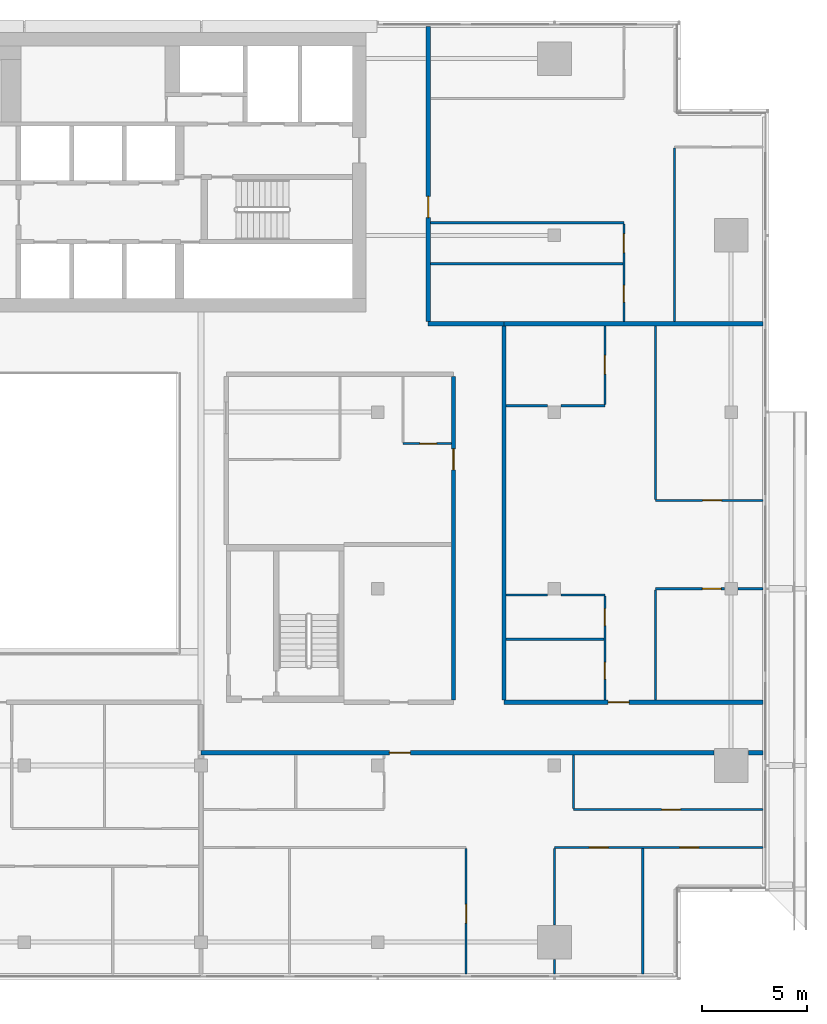
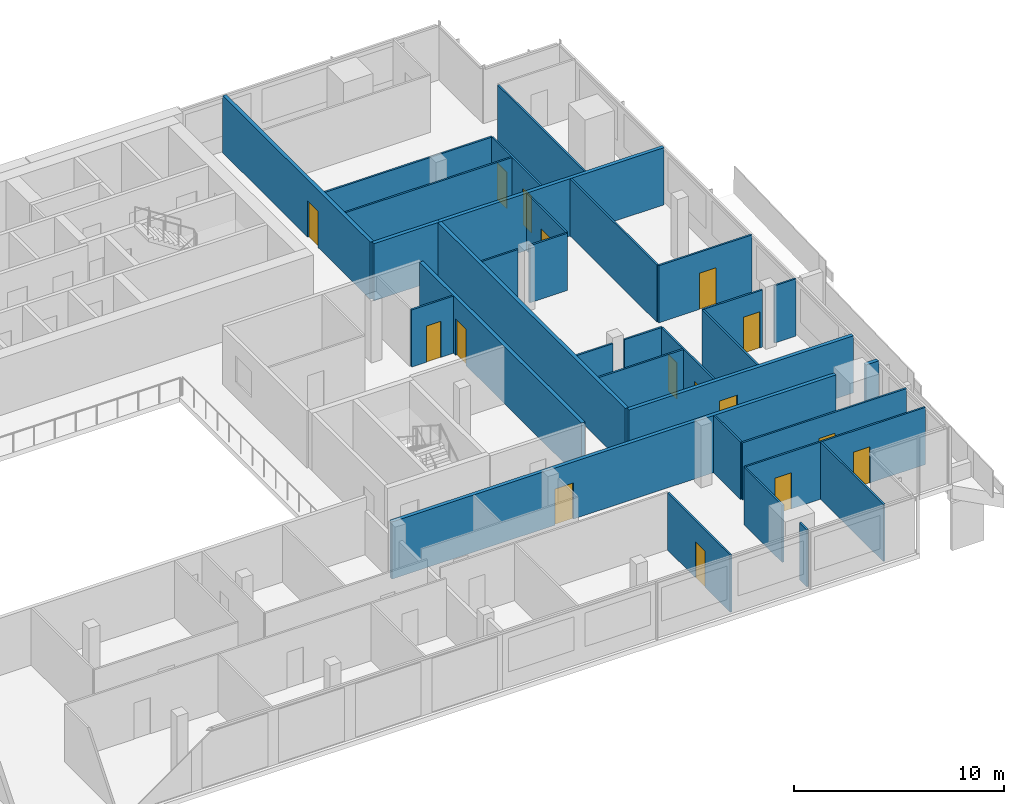
# One storey, part 23 of 28: 32 walls, 16 doors, 16 openings.
"""IFC4 building model written with IfcOpenShell, lengths in metres."""

from ifc_helpers import new_model, si_unit, direction, frame, frame_2d, origin, place, context, subcontext, project, spatial, rectangle, extrude, material, layer, layer_set, type_object, element, fill, save


model = new_model("IFC4")

# Units and contexts
model_context = context("Model", 3, precision=1e-05, world=origin(), true_north=direction((0.0, 1.0)))
body_context = subcontext(model_context, "Body", "Model", "MODEL_VIEW")
ifc_project = project(units=[si_unit("LENGTHUNIT", "METRE"), si_unit("AREAUNIT", "SQUARE_METRE"), si_unit("VOLUMEUNIT", "CUBIC_METRE"), si_unit("PLANEANGLEUNIT", "RADIAN"), si_unit("MASSUNIT", "GRAM", prefix="KILO")], contexts=[model_context])

# Site, building, storey
site_placement = place(None, origin())
site = spatial("IfcSite", under=ifc_project, at=site_placement, CompositionType="ELEMENT")
building_placement = place(site_placement, origin())
building = spatial("IfcBuilding", under=site, at=building_placement, Name="Saffron Gate Tower", CompositionType="ELEMENT")
storey_placement = place(building_placement, frame((0.0, 0.0, 241.5)))
storey = spatial("IfcBuildingStorey", under=building, at=storey_placement, Name="L59", CompositionType="ELEMENT", Elevation=241.5)

# Wall, openings, doors
ifc_material_1 = material(Name="Plasterboard on steel studs", Category="steel")
ifc_layer_1 = layer(ifc_material_1, 0.10009765625)
ifc_layer_set_1 = layer_set([ifc_layer_1], Name="PW1 Partition 100")
wall_type_1 = type_object("IfcWallType", Name="PW1 Partition 100", PredefinedType="PARTITIONING", material=ifc_layer_set_1)
wall_1_placement = place(storey_placement, frame((126.919921875, 36.300048828125, 0.0), z_axis=(0.0, 0.0, 1.0), x_axis=(-1.0, 0.0, 0.0)))
wall_1 = element("IfcWall", 1, at=wall_1_placement, inside=storey, type_object=wall_type_1, Name="Partition D4-7", PredefinedType="PARTITIONING", context=body_context, shape_type="SweptSolid", body=[
    extrude(rectangle(XDim=9.919921875, YDim=0.10009765625, at=frame_2d((4.9599609375, 0.0))), origin(), (0.0, 0.0, 1.0), 3.320068359375),
])
opening_1_placement = place(wall_1_placement, frame((3.0576171875, 0.0, 0.0)))
opening_1 = element("IfcOpeningElement", 2, at=opening_1_placement, cuts=wall_1, Name="Opening D4-21", PredefinedType="OPENING", context=body_context, shape_type="SweptSolid", body=[
    extrude(rectangle(XDim=0.89990234375, YDim=2.10009765625, at=frame_2d((0.449951171875, 1.050048828125))), frame((0.0, 0.06005859375, 0.0), z_axis=(0.0, -1.0, 0.0), x_axis=(1.0, 0.0, 0.0)), (0.0, 0.0, 1.0), 0.1201171875),
])
opening_2_placement = place(wall_1_placement, frame((7.3701171875, 0.0, 0.0)))
opening_2 = element("IfcOpeningElement", 3, at=opening_2_placement, cuts=wall_1, Name="Opening D4-20", PredefinedType="OPENING", context=body_context, shape_type="SweptSolid", body=[
    extrude(rectangle(XDim=0.89990234375, YDim=2.10009765625, at=frame_2d((0.449951171875, 1.050048828125))), frame((0.0, 0.06005859375, 0.0), z_axis=(0.0, -1.0, 0.0), x_axis=(1.0, 0.0, 0.0)), (0.0, 0.0, 1.0), 0.1201171875),
])
ifc_material_2 = material(Name="Timber door set", Category="wood")
door_type_1 = type_object("IfcDoorType", Name="RD1 Room door 900x2100", OperationType="NOTDEFINED", PredefinedType="DOOR", material=ifc_material_2)
door_1_placement = place(opening_1_placement, origin())
door_1 = element("IfcDoor", 4, at=door_1_placement, inside=storey, type_object=door_type_1, Name="Door D4-21", OperationType="SINGLE_SWING_RIGHT", OverallHeight=2.10009765625, OverallWidth=0.89990234375, PredefinedType="DOOR", context=body_context, shape_type="SweptSolid", body=[
    extrude(rectangle(XDim=0.89990234375, YDim=2.10009765625, at=frame_2d((0.449951171875, 1.050048828125))), frame((0.0, 0.02490234375, 0.0), z_axis=(0.0, -1.0, 0.0), x_axis=(1.0, 0.0, 0.0)), (0.0, 0.0, 1.0), 0.050048828125),
])
fill(opening_1, door_1)
door_2_placement = place(opening_2_placement, origin())
door_2 = element("IfcDoor", 5, at=door_2_placement, inside=storey, type_object=door_type_1, Name="Door D4-20", OperationType="SINGLE_SWING_RIGHT", OverallHeight=2.10009765625, OverallWidth=0.89990234375, PredefinedType="DOOR", context=body_context, shape_type="SweptSolid", body=[
    extrude(rectangle(XDim=0.89990234375, YDim=2.10009765625, at=frame_2d((0.449951171875, 1.050048828125))), frame((0.0, 0.02490234375, 0.0), z_axis=(0.0, -1.0, 0.0), x_axis=(1.0, 0.0, 0.0)), (0.0, 0.0, 1.0), 0.050048828125),
])
fill(opening_2, door_2)

# Wall, opening, door
wall_2_placement = place(storey_placement, frame((117.89990234375, 38.10009765625, 0.0), z_axis=(0.0, 0.0, 1.0), x_axis=(1.0, 0.0, 0.0)))
wall_2 = element("IfcWall", 6, at=wall_2_placement, inside=storey, type_object=wall_type_1, Name="Partition D4-11", PredefinedType="PARTITIONING", context=body_context, shape_type="SweptSolid", body=[
    extrude(rectangle(XDim=9.02001953125, YDim=0.10009765625, at=frame_2d((4.510009765625, 0.0))), origin(), (0.0, 0.0, 1.0), 3.320068359375),
])
opening_3_placement = place(wall_2_placement, frame((4.199951171875, 0.0, 0.0)))
opening_3 = element("IfcOpeningElement", 7, at=opening_3_placement, cuts=wall_2, Name="Opening D4-22", PredefinedType="OPENING", context=body_context, shape_type="SweptSolid", body=[
    extrude(rectangle(XDim=0.89990234375, YDim=2.10009765625, at=frame_2d((0.449951171875, 1.050048828125))), frame((0.0, 0.06005859375, 0.0), z_axis=(0.0, -1.0, 0.0), x_axis=(1.0, 0.0, 0.0)), (0.0, 0.0, 1.0), 0.1201171875),
])
door_3_placement = place(opening_3_placement, origin())
door_3 = element("IfcDoor", 8, at=door_3_placement, inside=storey, type_object=door_type_1, Name="Door D4-22", OperationType="SINGLE_SWING_RIGHT", OverallHeight=2.10009765625, OverallWidth=0.89990234375, PredefinedType="DOOR", context=body_context, shape_type="SweptSolid", body=[
    extrude(rectangle(XDim=0.89990234375, YDim=2.10009765625, at=frame_2d((0.449951171875, 1.050048828125))), frame((0.0, 0.02490234375, 0.0), z_axis=(0.0, -1.0, 0.0), x_axis=(1.0, 0.0, 0.0)), (0.0, 0.0, 1.0), 0.050048828125),
])
fill(opening_3, door_3)

# Walls
wall_3_placement = place(storey_placement, frame((114.699951171875, 46.199951171875, 0.0), z_axis=(0.0, 0.0, 1.0), x_axis=(1.0, 0.0, 0.0)))
element("IfcWall", 9, at=wall_3_placement, inside=storey, type_object=wall_type_1, Name="Partition D4-21", PredefinedType="PARTITIONING", context=body_context, shape_type="SweptSolid", body=[
    extrude(rectangle(XDim=4.650146484375, YDim=0.10009765625, at=frame_2d((2.3251953125, 0.0))), origin(), (0.0, 0.0, 1.0), 3.320068359375),
])
wall_4_placement = place(storey_placement, frame((114.699951171875, 48.300048828125, 0.0), z_axis=(0.0, 0.0, 1.0), x_axis=(1.0, 0.0, 0.0)))
element("IfcWall", 10, at=wall_4_placement, inside=storey, type_object=wall_type_1, Name="Partition D4-22", PredefinedType="PARTITIONING", context=body_context, shape_type="SweptSolid", body=[
    extrude(rectangle(XDim=1.97998046875, YDim=0.10009765625, at=frame_2d((0.989990234375, 0.0))), origin(), (0.0, 0.0, 1.0), 3.320068359375),
])
wall_5_placement = place(storey_placement, frame((117.320068359375, 48.300048828125, 0.0), z_axis=(0.0, 0.0, 1.0), x_axis=(1.0, 0.0, 0.0)))
element("IfcWall", 11, at=wall_5_placement, inside=storey, type_object=wall_type_1, Name="Partition D4-23", PredefinedType="PARTITIONING", context=body_context, shape_type="SweptSolid", body=[
    extrude(rectangle(XDim=2.079833984375, YDim=0.10009765625, at=frame_2d((1.0400390625, 0.0))), origin(), (0.0, 0.0, 1.0), 3.320068359375),
])

# Wall, opening, door
wall_6_placement = place(storey_placement, frame((125.080078125, 48.60009765625, 0.0), z_axis=(0.0, 0.0, 1.0), x_axis=(-1.0, 0.0, 0.0)))
wall_6 = element("IfcWall", 12, at=wall_6_placement, inside=storey, type_object=wall_type_1, Name="Partition D4-26", PredefinedType="PARTITIONING", context=body_context, shape_type="SweptSolid", body=[
    extrude(rectangle(XDim=3.280029296875, YDim=0.10009765625, at=frame_2d((1.64013671875, 0.0))), origin(), (0.0, 0.0, 1.0), 3.320068359375),
])
opening_4_placement = place(wall_6_placement, frame((0.14990234375, 0.0, 0.0)))
opening_4 = element("IfcOpeningElement", 13, at=opening_4_placement, cuts=wall_6, Name="Opening D4-29", PredefinedType="OPENING", context=body_context, shape_type="SweptSolid", body=[
    extrude(rectangle(XDim=0.89990234375, YDim=2.10009765625, at=frame_2d((0.449951171875, 1.050048828125))), frame((0.0, 0.06005859375, 0.0), z_axis=(0.0, -1.0, 0.0), x_axis=(1.0, 0.0, 0.0)), (0.0, 0.0, 1.0), 0.1201171875),
])
door_4_placement = place(opening_4_placement, origin())
door_4 = element("IfcDoor", 14, at=door_4_placement, inside=storey, type_object=door_type_1, Name="Door D4-29", OperationType="SINGLE_SWING_LEFT", OverallHeight=2.10009765625, OverallWidth=0.89990234375, PredefinedType="DOOR", context=body_context, shape_type="SweptSolid", body=[
    extrude(rectangle(XDim=0.89990234375, YDim=2.10009765625, at=frame_2d((0.449951171875, 1.050048828125))), frame((0.0, 0.02490234375, 0.0), z_axis=(0.0, -1.0, 0.0), x_axis=(1.0, 0.0, 0.0)), (0.0, 0.0, 1.0), 0.050048828125),
])
fill(opening_4, door_4)

# Wall
wall_7_placement = place(storey_placement, frame((125.719970703125, 48.60009765625, 0.0), z_axis=(0.0, 0.0, 1.0), x_axis=(1.0, 0.0, 0.0)))
element("IfcWall", 15, at=wall_7_placement, inside=storey, type_object=wall_type_1, Name="Partition D4-27", PredefinedType="PARTITIONING", context=body_context, shape_type="SweptSolid", body=[
    extrude(rectangle(XDim=1.199951171875, YDim=0.10009765625, at=frame_2d((0.60009765625, 0.0))), origin(), (0.0, 0.0, 1.0), 3.320068359375),
])

# Wall, opening, door
wall_8_placement = place(storey_placement, frame((121.800048828125, 52.800048828125, 0.0), z_axis=(0.0, 0.0, 1.0), x_axis=(1.0, 0.0, 0.0)))
wall_8 = element("IfcWall", 16, at=wall_8_placement, inside=storey, type_object=wall_type_1, Name="Partition D4-32", PredefinedType="PARTITIONING", context=body_context, shape_type="SweptSolid", body=[
    extrude(rectangle(XDim=5.119873046875, YDim=0.10009765625, at=frame_2d((2.56005859375, 0.0))), origin(), (0.0, 0.0, 1.0), 3.320068359375),
])
opening_5_placement = place(wall_8_placement, frame((2.25, 0.0, 0.0)))
opening_5 = element("IfcOpeningElement", 17, at=opening_5_placement, cuts=wall_8, Name="Opening D4-30", PredefinedType="OPENING", context=body_context, shape_type="SweptSolid", body=[
    extrude(rectangle(XDim=0.89990234375, YDim=2.10009765625, at=frame_2d((0.449951171875, 1.050048828125))), frame((0.0, 0.06005859375, 0.0), z_axis=(0.0, -1.0, 0.0), x_axis=(1.0, 0.0, 0.0)), (0.0, 0.0, 1.0), 0.1201171875),
])
door_5_placement = place(opening_5_placement, origin())
door_5 = element("IfcDoor", 18, at=door_5_placement, inside=storey, type_object=door_type_1, Name="Door D4-30", OperationType="SINGLE_SWING_RIGHT", OverallHeight=2.10009765625, OverallWidth=0.89990234375, PredefinedType="DOOR", context=body_context, shape_type="SweptSolid", body=[
    extrude(rectangle(XDim=0.89990234375, YDim=2.10009765625, at=frame_2d((0.449951171875, 1.050048828125))), frame((0.0, 0.02490234375, 0.0), z_axis=(0.0, -1.0, 0.0), x_axis=(1.0, 0.0, 0.0)), (0.0, 0.0, 1.0), 0.050048828125),
])
fill(opening_5, door_5)

wall_9_placement = place(storey_placement, frame((109.800048828125, 55.5, 0.0), z_axis=(0.0, 0.0, 1.0), x_axis=(1.0, 0.0, 0.0)))
wall_9 = element("IfcWall", 19, at=wall_9_placement, inside=storey, type_object=wall_type_1, Name="Partition D4-37", PredefinedType="PARTITIONING", context=body_context, shape_type="SweptSolid", body=[
    extrude(rectangle(XDim=2.300048828125, YDim=0.10009765625, at=frame_2d((1.14990234375, 0.0))), origin(), (0.0, 0.0, 1.0), 3.320068359375),
])
opening_6_placement = place(wall_9_placement, frame((0.800048828125, 0.0, 0.0)))
opening_6 = element("IfcOpeningElement", 20, at=opening_6_placement, cuts=wall_9, Name="Opening D4-50", PredefinedType="OPENING", context=body_context, shape_type="SweptSolid", body=[
    extrude(rectangle(XDim=0.800048828125, YDim=2.10009765625, at=frame_2d((0.39990234375, 1.050048828125))), frame((0.0, 0.06005859375, 0.0), z_axis=(0.0, -1.0, 0.0), x_axis=(1.0, 0.0, 0.0)), (0.0, 0.0, 1.0), 0.1201171875),
])
door_type_2 = type_object("IfcDoorType", Name="RD2 Bathroom door 800x2100", OperationType="NOTDEFINED", PredefinedType="DOOR", material=ifc_material_2)
door_6_placement = place(opening_6_placement, origin())
door_6 = element("IfcDoor", 21, at=door_6_placement, inside=storey, type_object=door_type_2, Name="Door D4-50", OperationType="SINGLE_SWING_RIGHT", OverallHeight=2.10009765625, OverallWidth=0.800048828125, PredefinedType="DOOR", context=body_context, shape_type="SweptSolid", body=[
    extrude(rectangle(XDim=0.800048828125, YDim=2.10009765625, at=frame_2d((0.39990234375, 1.050048828125))), frame((0.0, 0.02490234375, 0.0), z_axis=(0.0, -1.0, 0.0), x_axis=(1.0, 0.0, 0.0)), (0.0, 0.0, 1.0), 0.050048828125),
])
fill(opening_6, door_6)

# Walls
wall_10_placement = place(storey_placement, frame((114.699951171875, 57.300048828125, 0.0), z_axis=(0.0, 0.0, 1.0), x_axis=(1.0, 0.0, 0.0)))
element("IfcWall", 22, at=wall_10_placement, inside=storey, type_object=wall_type_1, Name="Partition D4-40", PredefinedType="PARTITIONING", context=body_context, shape_type="SweptSolid", body=[
    extrude(rectangle(XDim=1.97998046875, YDim=0.10009765625, at=frame_2d((0.989990234375, 0.0))), origin(), (0.0, 0.0, 1.0), 3.320068359375),
])
wall_11_placement = place(storey_placement, frame((117.320068359375, 57.300048828125, 0.0), z_axis=(0.0, 0.0, 1.0), x_axis=(1.0, 0.0, 0.0)))
element("IfcWall", 23, at=wall_11_placement, inside=storey, type_object=wall_type_1, Name="Partition D4-41", PredefinedType="PARTITIONING", context=body_context, shape_type="SweptSolid", body=[
    extrude(rectangle(XDim=2.079833984375, YDim=0.10009765625, at=frame_2d((1.0400390625, 0.0))), origin(), (0.0, 0.0, 1.0), 3.320068359375),
])
wall_12_placement = place(storey_placement, frame((111.10009765625, 64.049560546875, 0.0), z_axis=(0.0, 0.0, 1.0), x_axis=(1.0, 0.0, 0.0)))
element("IfcWall", 24, at=wall_12_placement, inside=storey, type_object=wall_type_1, Name="Partition D4-49", PredefinedType="PARTITIONING", context=body_context, shape_type="SweptSolid", body=[
    extrude(rectangle(XDim=9.14990234375, YDim=0.10009765625, at=frame_2d((4.574951171875, 0.0))), origin(), (0.0, 0.0, 1.0), 3.320068359375),
])
wall_13_placement = place(storey_placement, frame((111.10009765625, 66.0, 0.0), z_axis=(0.0, 0.0, 1.0), x_axis=(1.0, 0.0, 0.0)))
element("IfcWall", 25, at=wall_13_placement, inside=storey, type_object=wall_type_1, Name="Partition D4-50", PredefinedType="PARTITIONING", context=body_context, shape_type="SweptSolid", body=[
    extrude(rectangle(XDim=9.199951171875, YDim=0.10009765625, at=frame_2d((4.60009765625, 0.0))), origin(), (0.0, 0.0, 1.0), 3.320068359375),
])

# Wall, opening, door
wall_14_placement = place(storey_placement, frame((112.800048828125, 30.280029296875, 0.0), z_axis=(0.0, 0.0, 1.0), x_axis=(0.0, 1.0, 0.0)))
wall_14 = element("IfcWall", 26, at=wall_14_placement, inside=storey, type_object=wall_type_1, Name="Partition D4-104", PredefinedType="PARTITIONING", context=body_context, shape_type="SweptSolid", body=[
    extrude(rectangle(XDim=5.969970703125, YDim=0.10009765625, at=frame_2d((2.98486328125, 0.0))), origin(), (0.0, 0.0, 1.0), 3.320068359375),
])
opening_7_placement = place(wall_14_placement, frame((2.419921875, 0.0, 0.0)))
opening_7 = element("IfcOpeningElement", 27, at=opening_7_placement, cuts=wall_14, Name="Opening D4-19", PredefinedType="OPENING", context=body_context, shape_type="SweptSolid", body=[
    extrude(rectangle(XDim=0.89990234375, YDim=2.10009765625, at=frame_2d((0.449951171875, 1.050048828125))), frame((0.0, 0.06005859375, 0.0), z_axis=(0.0, -1.0, 0.0), x_axis=(1.0, 0.0, 0.0)), (0.0, 0.0, 1.0), 0.1201171875),
])
door_7_placement = place(opening_7_placement, origin())
door_7 = element("IfcDoor", 28, at=door_7_placement, inside=storey, type_object=door_type_1, Name="Door D4-19", OperationType="SINGLE_SWING_LEFT", OverallHeight=2.10009765625, OverallWidth=0.89990234375, PredefinedType="DOOR", context=body_context, shape_type="SweptSolid", body=[
    extrude(rectangle(XDim=0.89990234375, YDim=2.10009765625, at=frame_2d((0.449951171875, 1.050048828125))), frame((0.0, 0.02490234375, 0.0), z_axis=(0.0, -1.0, 0.0), x_axis=(1.0, 0.0, 0.0)), (0.0, 0.0, 1.0), 0.050048828125),
])
fill(opening_7, door_7)

# Walls
wall_15_placement = place(storey_placement, frame((117.0, 30.97998046875, 0.0), z_axis=(0.0, 0.0, 1.0), x_axis=(0.0, -1.0, 0.0)))
element("IfcWall", 29, at=wall_15_placement, inside=storey, type_object=wall_type_1, Name="Partition D4-106", PredefinedType="PARTITIONING", context=body_context, shape_type="SweptSolid", body=[
    extrude(rectangle(XDim=0.699951171875, YDim=0.10009765625, at=frame_2d((0.35009765625, 0.0))), origin(), (0.0, 0.0, 1.0), 3.320068359375),
])
wall_16_placement = place(storey_placement, frame((117.0, 36.25, 0.0), z_axis=(0.0, 0.0, 1.0), x_axis=(0.0, -1.0, 0.0)))
element("IfcWall", 30, at=wall_16_placement, inside=storey, type_object=wall_type_1, Name="Partition D4-107", PredefinedType="PARTITIONING", context=body_context, shape_type="SweptSolid", body=[
    extrude(rectangle(XDim=3.6298828125, YDim=0.10009765625, at=frame_2d((1.81494140625, 0.0))), origin(), (0.0, 0.0, 1.0), 3.320068359375),
])
wall_17_placement = place(storey_placement, frame((117.89990234375, 40.699951171875, 0.0), z_axis=(0.0, 0.0, 1.0), x_axis=(0.0, -1.0, 0.0)))
element("IfcWall", 31, at=wall_17_placement, inside=storey, type_object=wall_type_1, Name="Partition D4-108", PredefinedType="PARTITIONING", context=body_context, shape_type="SweptSolid", body=[
    extrude(rectangle(XDim=2.550048828125, YDim=0.10009765625, at=frame_2d((1.27490234375, 0.0))), origin(), (0.0, 0.0, 1.0), 3.320068359375),
])

# Wall, openings, doors
wall_18_placement = place(storey_placement, frame((119.39990234375, 43.300048828125, 0.0), z_axis=(0.0, 0.0, 1.0), x_axis=(0.0, 1.0, 0.0)))
wall_18 = element("IfcWall", 32, at=wall_18_placement, inside=storey, type_object=wall_type_1, Name="Partition D4-109", PredefinedType="PARTITIONING", context=body_context, shape_type="SweptSolid", body=[
    extrude(rectangle(XDim=4.949951171875, YDim=0.10009765625, at=frame_2d((2.47509765625, 0.0))), origin(), (0.0, 0.0, 1.0), 3.320068359375),
])
opening_8_placement = place(wall_18_placement, frame((1.0, 0.0, 0.0)))
opening_8 = element("IfcOpeningElement", 33, at=opening_8_placement, cuts=wall_18, Name="Opening D4-46", PredefinedType="OPENING", context=body_context, shape_type="SweptSolid", body=[
    extrude(rectangle(XDim=0.800048828125, YDim=2.10009765625, at=frame_2d((0.39990234375, 1.050048828125))), frame((0.0, 0.06005859375, 0.0), z_axis=(0.0, -1.0, 0.0), x_axis=(1.0, 0.0, 0.0)), (0.0, 0.0, 1.0), 0.1201171875),
])
opening_9_placement = place(wall_18_placement, frame((3.550048828125, 0.0, 0.0)))
opening_9 = element("IfcOpeningElement", 34, at=opening_9_placement, cuts=wall_18, Name="Opening D4-47", PredefinedType="OPENING", context=body_context, shape_type="SweptSolid", body=[
    extrude(rectangle(XDim=0.800048828125, YDim=2.10009765625, at=frame_2d((0.39990234375, 1.050048828125))), frame((0.0, 0.06005859375, 0.0), z_axis=(0.0, -1.0, 0.0), x_axis=(1.0, 0.0, 0.0)), (0.0, 0.0, 1.0), 0.1201171875),
])
door_8_placement = place(opening_8_placement, origin())
door_8 = element("IfcDoor", 35, at=door_8_placement, inside=storey, type_object=door_type_2, Name="Door D4-46", OperationType="SINGLE_SWING_LEFT", OverallHeight=2.10009765625, OverallWidth=0.800048828125, PredefinedType="DOOR", context=body_context, shape_type="SweptSolid", body=[
    extrude(rectangle(XDim=0.800048828125, YDim=2.10009765625, at=frame_2d((0.39990234375, 1.050048828125))), frame((0.0, 0.02490234375, 0.0), z_axis=(0.0, -1.0, 0.0), x_axis=(1.0, 0.0, 0.0)), (0.0, 0.0, 1.0), 0.050048828125),
])
fill(opening_8, door_8)
door_9_placement = place(opening_9_placement, origin())
door_9 = element("IfcDoor", 36, at=door_9_placement, inside=storey, type_object=door_type_2, Name="Door D4-47", OperationType="SINGLE_SWING_RIGHT", OverallHeight=2.10009765625, OverallWidth=0.800048828125, PredefinedType="DOOR", context=body_context, shape_type="SweptSolid", body=[
    extrude(rectangle(XDim=0.800048828125, YDim=2.10009765625, at=frame_2d((0.39990234375, 1.050048828125))), frame((0.0, 0.02490234375, 0.0), z_axis=(0.0, -1.0, 0.0), x_axis=(1.0, 0.0, 0.0)), (0.0, 0.0, 1.0), 0.050048828125),
])
fill(opening_9, door_9)

# Wall, opening, door
wall_19_placement = place(storey_placement, frame((119.39990234375, 57.35009765625, 0.0), z_axis=(0.0, 0.0, 1.0), x_axis=(0.0, 1.0, 0.0)))
wall_19 = element("IfcWall", 37, at=wall_19_placement, inside=storey, type_object=wall_type_1, Name="Partition D4-110", PredefinedType="PARTITIONING", context=body_context, shape_type="SweptSolid", body=[
    extrude(rectangle(XDim=3.75, YDim=0.10009765625, at=frame_2d((1.875, 0.0))), origin(), (0.0, 0.0, 1.0), 3.320068359375),
])
opening_10_placement = place(wall_19_placement, frame((1.449951171875, 0.0, 0.0)))
opening_10 = element("IfcOpeningElement", 38, at=opening_10_placement, cuts=wall_19, Name="Opening D4-31", PredefinedType="OPENING", context=body_context, shape_type="SweptSolid", body=[
    extrude(rectangle(XDim=0.89990234375, YDim=2.10009765625, at=frame_2d((0.449951171875, 1.050048828125))), frame((0.0, 0.06005859375, 0.0), z_axis=(0.0, -1.0, 0.0), x_axis=(1.0, 0.0, 0.0)), (0.0, 0.0, 1.0), 0.1201171875),
])
door_10_placement = place(opening_10_placement, origin())
door_10 = element("IfcDoor", 39, at=door_10_placement, inside=storey, type_object=door_type_1, Name="Door D4-31", OperationType="SINGLE_SWING_RIGHT", OverallHeight=2.10009765625, OverallWidth=0.89990234375, PredefinedType="DOOR", context=body_context, shape_type="SweptSolid", body=[
    extrude(rectangle(XDim=0.89990234375, YDim=2.10009765625, at=frame_2d((0.449951171875, 1.050048828125))), frame((0.0, 0.02490234375, 0.0), z_axis=(0.0, -1.0, 0.0), x_axis=(1.0, 0.0, 0.0)), (0.0, 0.0, 1.0), 0.050048828125),
])
fill(opening_10, door_10)

# Wall, openings, doors
wall_20_placement = place(storey_placement, frame((120.300048828125, 61.300048828125, 0.0), z_axis=(0.0, 0.0, 1.0), x_axis=(0.0, 1.0, 0.0)))
wall_20 = element("IfcWall", 40, at=wall_20_placement, inside=storey, type_object=wall_type_1, Name="Partition D4-111", PredefinedType="PARTITIONING", context=body_context, shape_type="SweptSolid", body=[
    extrude(rectangle(XDim=4.64990234375, YDim=0.10009765625, at=frame_2d((2.324951171875, 0.0))), origin(), (0.0, 0.0, 1.0), 3.320068359375),
])
opening_11_placement = place(wall_20_placement, frame((0.9248046875, 0.0, 0.0)))
opening_11 = element("IfcOpeningElement", 41, at=opening_11_placement, cuts=wall_20, Name="Opening D4-48", PredefinedType="OPENING", context=body_context, shape_type="SweptSolid", body=[
    extrude(rectangle(XDim=0.800048828125, YDim=2.10009765625, at=frame_2d((0.39990234375, 1.050048828125))), frame((0.0, 0.06005859375, 0.0), z_axis=(0.0, -1.0, 0.0), x_axis=(1.0, 0.0, 0.0)), (0.0, 0.0, 1.0), 0.1201171875),
])
opening_12_placement = place(wall_20_placement, frame((3.274658203125, 0.0, 0.0)))
opening_12 = element("IfcOpeningElement", 42, at=opening_12_placement, cuts=wall_20, Name="Opening D4-34", PredefinedType="OPENING", context=body_context, shape_type="SweptSolid", body=[
    extrude(rectangle(XDim=0.89990234375, YDim=2.10009765625, at=frame_2d((0.449951171875, 1.050048828125))), frame((0.0, 0.06005859375, 0.0), z_axis=(0.0, -1.0, 0.0), x_axis=(1.0, 0.0, 0.0)), (0.0, 0.0, 1.0), 0.1201171875),
])
door_11_placement = place(opening_12_placement, origin())
door_11 = element("IfcDoor", 43, at=door_11_placement, inside=storey, type_object=door_type_1, Name="Door D4-34", OperationType="SINGLE_SWING_RIGHT", OverallHeight=2.10009765625, OverallWidth=0.89990234375, PredefinedType="DOOR", context=body_context, shape_type="SweptSolid", body=[
    extrude(rectangle(XDim=0.89990234375, YDim=2.10009765625, at=frame_2d((0.449951171875, 1.050048828125))), frame((0.0, 0.02490234375, 0.0), z_axis=(0.0, -1.0, 0.0), x_axis=(1.0, 0.0, 0.0)), (0.0, 0.0, 1.0), 0.050048828125),
])
fill(opening_12, door_11)
door_12_placement = place(opening_11_placement, origin())
door_12 = element("IfcDoor", 44, at=door_12_placement, inside=storey, type_object=door_type_2, Name="Door D4-48", OperationType="SINGLE_SWING_LEFT", OverallHeight=2.10009765625, OverallWidth=0.800048828125, PredefinedType="DOOR", context=body_context, shape_type="SweptSolid", body=[
    extrude(rectangle(XDim=0.800048828125, YDim=2.10009765625, at=frame_2d((0.39990234375, 1.050048828125))), frame((0.0, 0.02490234375, 0.0), z_axis=(0.0, -1.0, 0.0), x_axis=(1.0, 0.0, 0.0)), (0.0, 0.0, 1.0), 0.050048828125),
])
fill(opening_11, door_12)

# Walls
wall_21_placement = place(storey_placement, frame((121.199951171875, 36.25, 0.0), z_axis=(0.0, 0.0, 1.0), x_axis=(0.0, -1.0, 0.0)))
element("IfcWall", 45, at=wall_21_placement, inside=storey, type_object=wall_type_1, Name="Partition D4-113", PredefinedType="PARTITIONING", context=body_context, shape_type="SweptSolid", body=[
    extrude(rectangle(XDim=5.969970703125, YDim=0.10009765625, at=frame_2d((2.98486328125, 0.0))), origin(), (0.0, 0.0, 1.0), 3.320068359375),
])
wall_22_placement = place(storey_placement, frame((121.800048828125, 48.550048828125, 0.0), z_axis=(0.0, 0.0, 1.0), x_axis=(0.0, -1.0, 0.0)))
element("IfcWall", 46, at=wall_22_placement, inside=storey, type_object=wall_type_1, Name="Partition D4-114", PredefinedType="PARTITIONING", context=body_context, shape_type="SweptSolid", body=[
    extrude(rectangle(XDim=5.25, YDim=0.10009765625, at=frame_2d((2.625, 0.0))), origin(), (0.0, 0.0, 1.0), 3.320068359375),
])
for number, where, z_axis, x_axis, name in (
    (47, (121.800048828125, 61.10009765625, 0.0), (0.0, 0.0, 1.0), (0.0, -1.0, 0.0), "Partition D4-115"),
    (48, (122.699951171875, 69.550048828125, 0.0), (0.0, 0.0, 1.0), (0.0, -1.0, 0.0), "Partition D4-116"),
):
    element("IfcWall", number, at=place(storey_placement, frame(where, z_axis=z_axis, x_axis=x_axis)), inside=storey, type_object=wall_type_1, Name=name, PredefinedType="PARTITIONING", context=body_context, shape_type="SweptSolid", body=[
        extrude(rectangle(XDim=8.25, YDim=0.10009765625, at=frame_2d((4.125, 0.0))), origin(), (0.0, 0.0, 1.0), 3.320068359375),
    ])
ifc_material_3 = material(Name="Clay brick masonry, rendered", Category="masonry")
ifc_layer_2 = layer(ifc_material_3, 0.199951171875)
ifc_layer_set_2 = layer_set([ifc_layer_2], Name="PW2 Demising wall 200")
wall_type_2 = type_object("IfcWallType", Name="PW2 Demising wall 200", PredefinedType="PARTITIONING", material=ifc_layer_set_2)
wall_23_placement = place(storey_placement, frame((114.60009765625, 61.199951171875, 0.0), z_axis=(0.0, 0.0, 1.0), x_axis=(1.0, 0.0, 0.0)))
element("IfcWall", 49, at=wall_23_placement, inside=storey, type_object=wall_type_2, Name="Wall D4-48", PredefinedType="PARTITIONING", context=body_context, shape_type="SweptSolid", body=[
    extrude(rectangle(XDim=12.31982421875, YDim=0.199951171875, at=frame_2d((6.159912109375, 0.0))), origin(), (0.0, 0.0, 1.0), 3.320068359375),
])

# Wall, opening, door
ifc_layer_3 = layer(ifc_material_3, 0.199951171875)
ifc_layer_set_3 = layer_set([ifc_layer_3], Name="PW3 Corridor wall 200")
wall_type_3 = type_object("IfcWallType", Name="PW3 Corridor wall 200", PredefinedType="PARTITIONING", material=ifc_layer_set_3)
wall_24_placement = place(storey_placement, frame((124.580078125, 40.800048828125, 0.0), z_axis=(0.0, 0.0, 1.0), x_axis=(-1.0, 0.0, 0.0)))
wall_24 = element("IfcWall", 50, at=wall_24_placement, inside=storey, type_object=wall_type_3, Name="Wall D4-14", PredefinedType="PARTITIONING", context=body_context, shape_type="SweptSolid", body=[
    extrude(rectangle(XDim=24.380126953125, YDim=0.199951171875, at=frame_2d((12.18994140625, 0.0))), origin(), (0.0, 0.0, 1.0), 3.320068359375),
])
opening_13_placement = place(wall_24_placement, frame((14.429931640625, 0.0, 0.0)))
opening_13 = element("IfcOpeningElement", 51, at=opening_13_placement, cuts=wall_24, Name="Opening D4-3", PredefinedType="OPENING", context=body_context, shape_type="SweptSolid", body=[
    extrude(rectangle(XDim=1.0, YDim=2.10009765625, at=frame_2d((0.5, 1.050048828125))), frame((0.0, 0.10986328125, 0.0), z_axis=(0.0, -1.0, 0.0), x_axis=(1.0, 0.0, 0.0)), (0.0, 0.0, 1.0), 0.219970703125),
])
ifc_material_4 = material(Name="Timber fire door set", Category="wood")
door_type_3 = type_object("IfcDoorType", Name="FD1 Flat entry door 1000x2100", OperationType="NOTDEFINED", PredefinedType="DOOR", material=ifc_material_4)
door_13_placement = place(opening_13_placement, origin())
door_13 = element("IfcDoor", 52, at=door_13_placement, inside=storey, type_object=door_type_3, Name="Door D4-3", OperationType="SINGLE_SWING_RIGHT", OverallHeight=2.10009765625, OverallWidth=1.0, PredefinedType="DOOR", context=body_context, shape_type="SweptSolid", body=[
    extrude(rectangle(XDim=1.0, YDim=2.10009765625, at=frame_2d((0.5, 1.050048828125))), frame((0.0, 0.02490234375, 0.0), z_axis=(0.0, -1.0, 0.0), x_axis=(1.0, 0.0, 0.0)), (0.0, 0.0, 1.0), 0.050048828125),
])
fill(opening_13, door_13)

# Wall
wall_25_placement = place(storey_placement, frame((126.219970703125, 40.800048828125, 0.0), z_axis=(0.0, 0.0, 1.0), x_axis=(1.0, 0.0, 0.0)))
element("IfcWall", 53, at=wall_25_placement, inside=storey, type_object=wall_type_3, Name="Wall D4-15", PredefinedType="PARTITIONING", context=body_context, shape_type="SweptSolid", body=[
    extrude(rectangle(XDim=0.699951171875, YDim=0.199951171875, at=frame_2d((0.35009765625, 0.0))), origin(), (0.0, 0.0, 1.0), 3.320068359375),
])

# Wall, opening, door
wall_26_placement = place(storey_placement, frame((114.60009765625, 43.199951171875, 0.0), z_axis=(0.0, 0.0, 1.0), x_axis=(1.0, 0.0, 0.0)))
wall_26 = element("IfcWall", 54, at=wall_26_placement, inside=storey, type_object=wall_type_3, Name="Wall D4-20", PredefinedType="PARTITIONING", context=body_context, shape_type="SweptSolid", body=[
    extrude(rectangle(XDim=12.31982421875, YDim=0.199951171875, at=frame_2d((6.159912109375, 0.0))), origin(), (0.0, 0.0, 1.0), 3.320068359375),
])
opening_14_placement = place(wall_26_placement, frame((4.949951171875, 0.0, 0.0)))
opening_14 = element("IfcOpeningElement", 55, at=opening_14_placement, cuts=wall_26, Name="Opening D4-6", PredefinedType="OPENING", context=body_context, shape_type="SweptSolid", body=[
    extrude(rectangle(XDim=1.0, YDim=2.10009765625, at=frame_2d((0.5, 1.050048828125))), frame((0.0, 0.10986328125, 0.0), z_axis=(0.0, -1.0, 0.0), x_axis=(1.0, 0.0, 0.0)), (0.0, 0.0, 1.0), 0.219970703125),
])
door_14_placement = place(opening_14_placement, origin())
door_14 = element("IfcDoor", 56, at=door_14_placement, inside=storey, type_object=door_type_3, Name="Door D4-6", OperationType="SINGLE_SWING_LEFT", OverallHeight=2.10009765625, OverallWidth=1.0, PredefinedType="DOOR", context=body_context, shape_type="SweptSolid", body=[
    extrude(rectangle(XDim=1.0, YDim=2.10009765625, at=frame_2d((0.5, 1.050048828125))), frame((0.0, 0.02490234375, 0.0), z_axis=(0.0, -1.0, 0.0), x_axis=(1.0, 0.0, 0.0)), (0.0, 0.0, 1.0), 0.050048828125),
])
fill(opening_14, door_14)

# Wall
wall_27_placement = place(storey_placement, frame((111.0, 61.199951171875, 0.0), z_axis=(0.0, 0.0, 1.0), x_axis=(1.0, 0.0, 0.0)))
element("IfcWall", 57, at=wall_27_placement, inside=storey, type_object=wall_type_3, Name="Wall D4-46", PredefinedType="PARTITIONING", context=body_context, shape_type="SweptSolid", body=[
    extrude(rectangle(XDim=3.60009765625, YDim=0.199951171875, at=frame_2d((1.800048828125, 0.0))), origin(), (0.0, 0.0, 1.0), 3.320068359375),
])

# Wall, opening, door
wall_28_placement = place(storey_placement, frame((111.0, 75.320068359375, 0.0), z_axis=(0.0, 0.0, 1.0), x_axis=(0.0, -1.0, 0.0)))
wall_28 = element("IfcWall", 58, at=wall_28_placement, inside=storey, type_object=wall_type_3, Name="Wall D4-102", PredefinedType="PARTITIONING", context=body_context, shape_type="SweptSolid", body=[
    extrude(rectangle(XDim=14.02001953125, YDim=0.199951171875, at=frame_2d((7.010009765625, 0.0))), origin(), (0.0, 0.0, 1.0), 3.320068359375),
])
opening_15_placement = place(wall_28_placement, frame((8.070068359375, 0.0, 0.0)))
opening_15 = element("IfcOpeningElement", 59, at=opening_15_placement, cuts=wall_28, Name="Opening D4-7", PredefinedType="OPENING", context=body_context, shape_type="SweptSolid", body=[
    extrude(rectangle(XDim=1.0, YDim=2.10009765625, at=frame_2d((0.5, 1.050048828125))), frame((0.0, 0.10986328125, 0.0), z_axis=(0.0, -1.0, 0.0), x_axis=(1.0, 0.0, 0.0)), (0.0, 0.0, 1.0), 0.219970703125),
])
door_15_placement = place(opening_15_placement, origin())
door_15 = element("IfcDoor", 60, at=door_15_placement, inside=storey, type_object=door_type_3, Name="Door D4-7", OperationType="SINGLE_SWING_RIGHT", OverallHeight=2.10009765625, OverallWidth=1.0, PredefinedType="DOOR", context=body_context, shape_type="SweptSolid", body=[
    extrude(rectangle(XDim=1.0, YDim=2.10009765625, at=frame_2d((0.5, 1.050048828125))), frame((0.0, 0.02490234375, 0.0), z_axis=(0.0, -1.0, 0.0), x_axis=(1.0, 0.0, 0.0)), (0.0, 0.0, 1.0), 0.050048828125),
])
fill(opening_15, door_15)

wall_29_placement = place(storey_placement, frame((112.199951171875, 43.300048828125, 0.0), z_axis=(0.0, 0.0, 1.0), x_axis=(0.0, 1.0, 0.0)))
wall_29 = element("IfcWall", 61, at=wall_29_placement, inside=storey, type_object=wall_type_3, Name="Wall D4-103", PredefinedType="PARTITIONING", context=body_context, shape_type="SweptSolid", body=[
    extrude(rectangle(XDim=15.39990234375, YDim=0.199951171875, at=frame_2d((7.699951171875, 0.0))), origin(), (0.0, 0.0, 1.0), 3.320068359375),
])
opening_16_placement = place(wall_29_placement, frame((10.949951171875, 0.0, 0.0)))
opening_16 = element("IfcOpeningElement", 62, at=opening_16_placement, cuts=wall_29, Name="Opening D4-9", PredefinedType="OPENING", context=body_context, shape_type="SweptSolid", body=[
    extrude(rectangle(XDim=1.0, YDim=2.10009765625, at=frame_2d((0.5, 1.050048828125))), frame((0.0, 0.10986328125, 0.0), z_axis=(0.0, -1.0, 0.0), x_axis=(1.0, 0.0, 0.0)), (0.0, 0.0, 1.0), 0.219970703125),
])
door_16_placement = place(opening_16_placement, origin())
door_16 = element("IfcDoor", 63, at=door_16_placement, inside=storey, type_object=door_type_3, Name="Door D4-9", OperationType="SINGLE_SWING_RIGHT", OverallHeight=2.10009765625, OverallWidth=1.0, PredefinedType="DOOR", context=body_context, shape_type="SweptSolid", body=[
    extrude(rectangle(XDim=1.0, YDim=2.10009765625, at=frame_2d((0.5, 1.050048828125))), frame((0.0, 0.02490234375, 0.0), z_axis=(0.0, -1.0, 0.0), x_axis=(1.0, 0.0, 0.0)), (0.0, 0.0, 1.0), 0.050048828125),
])
fill(opening_16, door_16)

# Wall
wall_30_placement = place(storey_placement, frame((114.60009765625, 61.10009765625, 0.0), z_axis=(0.0, 0.0, 1.0), x_axis=(0.0, -1.0, 0.0)))
element("IfcWall", 64, at=wall_30_placement, inside=storey, type_object=wall_type_3, Name="Wall D4-105", PredefinedType="PARTITIONING", context=body_context, shape_type="SweptSolid", body=[
    extrude(rectangle(XDim=17.800048828125, YDim=0.199951171875, at=frame_2d((8.89990234375, 0.0))), origin(), (0.0, 0.0, 1.0), 3.320068359375),
])

save(model, "model.ifc")
